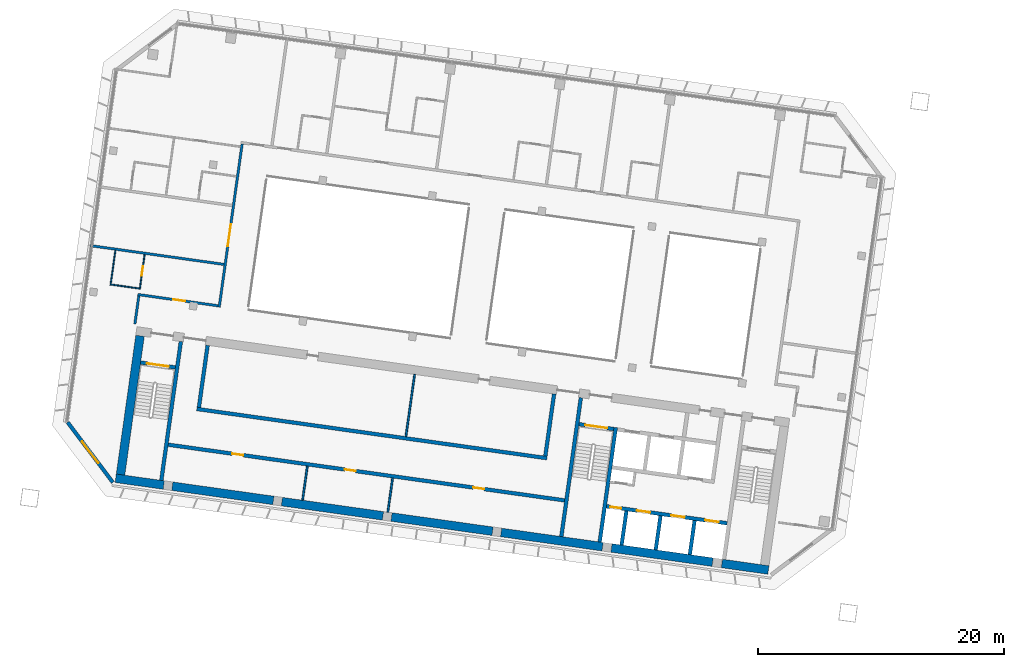
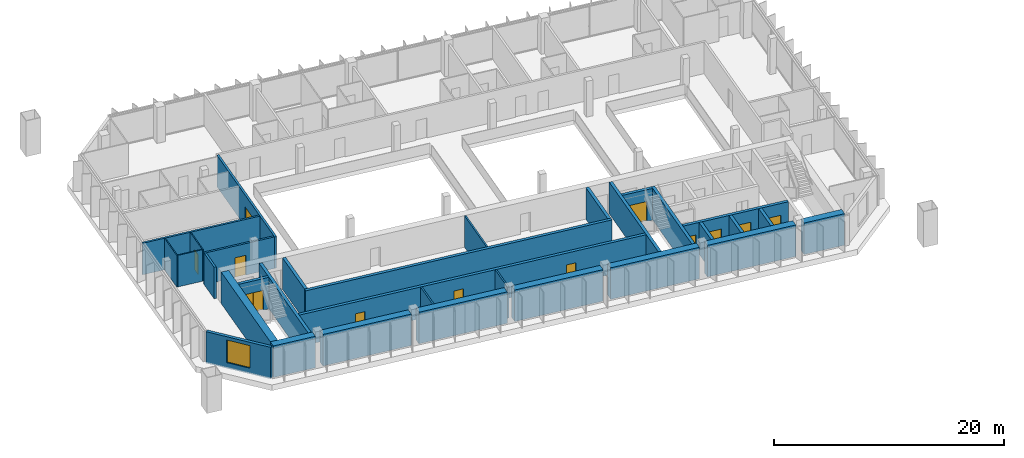
# One storey, part 15 of 26: 32 walls, 12 doors, 1 window, 13 openings.
"""IFC4 building model written with IfcOpenShell, lengths in metres."""

from ifc_helpers import new_model, si_unit, direction, frame, frame_2d, origin, place, context, subcontext, project, spatial, rectangle, extrude, material, layer, layer_set, type_object, element, fill, save


model = new_model("IFC4")

# Units and contexts
model_context = context("Model", 3, precision=1e-05, world=origin(), true_north=direction((0.0, 1.0)))
body_context = subcontext(model_context, "Body", "Model", "MODEL_VIEW")
ifc_project = project(units=[si_unit("LENGTHUNIT", "METRE"), si_unit("AREAUNIT", "SQUARE_METRE"), si_unit("VOLUMEUNIT", "CUBIC_METRE"), si_unit("PLANEANGLEUNIT", "RADIAN"), si_unit("MASSUNIT", "GRAM", prefix="KILO")], contexts=[model_context])

# Site, building, storey
site_placement = place(None, origin())
site = spatial("IfcSite", under=ifc_project, at=site_placement, CompositionType="ELEMENT")
building_placement = place(site_placement, origin())
building = spatial("IfcBuilding", under=site, at=building_placement, Name="Mirante Cascada Hotel Towers", CompositionType="ELEMENT")
storey_placement = place(building_placement, frame((0.0, 0.0, 161.2)))
storey = spatial("IfcBuildingStorey", under=building, at=storey_placement, Name="L37", CompositionType="ELEMENT", Elevation=161.2)

# Wall, opening, door
ifc_material_1 = material(Name="Fire-rated plasterboard on metal studs")
ifc_layer_1 = layer(ifc_material_1, 0.2)
ifc_layer_set_1 = layer_set([ifc_layer_1], Name="Compartment wall 200 EI 120")
wall_type_1 = type_object("IfcWallType", Name="Compartment wall 200 EI 120", PredefinedType="PARTITIONING", material=ifc_layer_set_1)
wall_1_placement = place(storey_placement, frame((-81.9671, 1.8701, 0.0), z_axis=(0.0, 0.0, 1.0), x_axis=(-0.990269, 0.1391661, 0.0)))
wall_1 = element("IfcWall", 1, at=wall_1_placement, inside=storey, type_object=wall_type_1, Name="Wall 1-L37-04", PredefinedType="PARTITIONING", context=body_context, shape_type="SweptSolid", body=[
    extrude(rectangle(XDim=6.6, YDim=0.2, at=frame_2d((3.3, 0.0))), origin(), (0.0, 0.0, 1.0), 3.35),
])
opening_1_placement = place(wall_1_placement, frame((2.7, 0.0, 0.0)))
opening_1 = element("IfcOpeningElement", 2, at=opening_1_placement, cuts=wall_1, Name="Opening D1-L37-03", PredefinedType="OPENING", context=body_context, shape_type="SweptSolid", body=[
    extrude(rectangle(XDim=1.0, YDim=2.1, at=frame_2d((0.5, 1.05))), frame((0.0, 0.1, 0.0), z_axis=(0.0, -1.0, 0.0), x_axis=(1.0, 0.0, 0.0)), (0.0, 0.0, 1.0), 0.2),
])
ifc_material_2 = material(Name="Fire-rated timber door leaf", Category="wood")
door_type_1 = type_object("IfcDoorType", Name="Entrance door DG1 1000x2100 EI 60", OperationType="SINGLE_SWING_LEFT", PredefinedType="DOOR", material=ifc_material_2)
door_1_placement = place(opening_1_placement, origin())
door_1 = element("IfcDoor", 3, at=door_1_placement, inside=storey, type_object=door_type_1, Name="Door D1-L37-03", OperationType="SINGLE_SWING_LEFT", OverallHeight=2.1, OverallWidth=1.0, PredefinedType="DOOR", context=body_context, shape_type="SweptSolid", body=[
    extrude(rectangle(XDim=1.0, YDim=2.1, at=frame_2d((0.5, 1.05))), frame((0.0, 0.025, 0.0), z_axis=(0.0, -1.0, 0.0), x_axis=(1.0, 0.0, 0.0)), (0.0, 0.0, 1.0), 0.05),
])
fill(opening_1, door_1)

# Wall
wall_2_placement = place(storey_placement, frame((-81.4939, 5.237, 0.0), z_axis=(0.0, 0.0, 1.0), x_axis=(-0.9902682, 0.1391721, 0.0)))
element("IfcWall", 4, at=wall_2_placement, inside=storey, type_object=wall_type_1, Name="Wall 1-L37-08", PredefinedType="PARTITIONING", context=body_context, shape_type="SweptSolid", body=[
    extrude(rectangle(XDim=11.0001, YDim=0.2, at=frame_2d((5.5, 0.0))), origin(), (0.0, 0.0, 1.0), 3.35),
])

# Wall, opening, door
wall_3_placement = place(storey_placement, frame((-80.0171, 15.0267, 0.0), z_axis=(0.0, 0.0, 1.0), x_axis=(-0.1391716, -0.9902683, 0.0)))
wall_3 = element("IfcWall", 5, at=wall_3_placement, inside=storey, type_object=wall_type_1, Name="Wall 1-L37-45", PredefinedType="PARTITIONING", context=body_context, shape_type="SweptSolid", body=[
    extrude(rectangle(XDim=13.4, YDim=0.2, at=frame_2d((6.7, 0.0))), origin(), (0.0, 0.0, 1.0), 3.35),
])
opening_2_placement = place(wall_3_placement, frame((6.5834, 0.0, 0.0)))
opening_2 = element("IfcOpeningElement", 6, at=opening_2_placement, cuts=wall_3, Name="Opening D1-L37-26", PredefinedType="OPENING", context=body_context, shape_type="SweptSolid", body=[
    extrude(rectangle(XDim=1.8, YDim=2.1, at=frame_2d((0.9, 1.05))), frame((0.0, 0.1, 0.0), z_axis=(0.0, -1.0, 0.0), x_axis=(1.0, 0.0, 0.0)), (0.0, 0.0, 1.0), 0.2),
])
ifc_material_3 = material(Name="Fire-rated timber door leaf", Category="wood")
door_type_2 = type_object("IfcDoorType", Name="Suite double door DG2 1800x2100 EI 60", OperationType="DOUBLE_DOOR_SINGLE_SWING", PredefinedType="DOOR", material=ifc_material_3)
door_2_placement = place(opening_2_placement, origin())
door_2 = element("IfcDoor", 7, at=door_2_placement, inside=storey, type_object=door_type_2, Name="Door D1-L37-26", OperationType="DOUBLE_DOOR_SINGLE_SWING", OverallHeight=2.1, OverallWidth=1.8, PredefinedType="DOOR", context=body_context, shape_type="SweptSolid", body=[
    extrude(rectangle(XDim=0.895, YDim=2.1, at=frame_2d((0.4475, 1.05))), frame((0.0, 0.025, 0.0), z_axis=(0.0, -1.0, 0.0), x_axis=(1.0, 0.0, 0.0)), (0.0, 0.0, 1.0), 0.05),
    extrude(rectangle(XDim=0.895, YDim=2.1, at=frame_2d((1.3525, 1.05))), frame((0.0, 0.025, 0.0), z_axis=(0.0, -1.0, 0.0), x_axis=(1.0, 0.0, 0.0)), (0.0, 0.0, 1.0), 0.05),
])
fill(opening_2, door_2)

# Walls
wall_4_placement = place(storey_placement, frame((-88.7379, 0.3981, 0.0), z_axis=(0.0, 0.0, 1.0), x_axis=(0.1391749, 0.9902678, 0.0)))
element("IfcWall", 8, at=wall_4_placement, inside=storey, type_object=wall_type_1, Name="Wall 1-L37-48", PredefinedType="PARTITIONING", context=body_context, shape_type="SweptSolid", body=[
    extrude(rectangle(XDim=2.3, YDim=0.2, at=frame_2d((1.15, 0.0))), origin(), (0.0, 0.0, 1.0), 3.35),
])
ifc_material_4 = material(Name="Masonry block", Category="masonry")
ifc_layer_2 = layer(ifc_material_4, 0.15)
ifc_layer_set_2 = layer_set([ifc_layer_2], Name="Core room partition 150 block EI 30")
wall_type_2 = type_object("IfcWallType", Name="Core room partition 150 block EI 30", PredefinedType="PARTITIONING", material=ifc_layer_set_2)
for number, where, z_axis, x_axis, name in (
    (9, (-68.1687, -14.9136, 0.0), (0.0, 0.0, 1.0), (0.139181, 0.990267, 0.0), "Core wall partition T1 L37 5"),
    (10, (-75.1006, -13.9394, 0.0), (0.0, 0.0, 1.0), (0.139181, 0.990267, 0.0), "Core wall partition T1 L37 6"),
):
    element("IfcWall", number, at=place(storey_placement, frame(where, z_axis=z_axis, x_axis=x_axis)), inside=storey, type_object=wall_type_2, Name=name, PredefinedType="PARTITIONING", context=body_context, shape_type="SweptSolid", body=[
        extrude(rectangle(XDim=2.8, YDim=0.15, at=frame_2d((1.4, 0.0))), origin(), (0.0, 0.0, 1.0), 3.35),
    ])
wall_5_placement = place(storey_placement, frame((-66.6977, -8.7584, 0.0), z_axis=(0.0, 0.0, 1.0), x_axis=(0.1391782, 0.9902673, 0.0)))
element("IfcWall", 11, at=wall_5_placement, inside=storey, type_object=wall_type_2, Name="Core wall partition T1 L37 7", PredefinedType="PARTITIONING", context=body_context, shape_type="SweptSolid", body=[
    extrude(rectangle(XDim=5.0999, YDim=0.15, at=frame_2d((2.55, 0.0))), origin(), (0.0, 0.0, 1.0), 3.35),
])

# Wall, openings, doors
ifc_material_5 = material(Name="Masonry block", Category="masonry")
ifc_layer_3 = layer(ifc_material_5, 0.3)
ifc_layer_set_3 = layer_set([ifc_layer_3], Name="Core wall 300 block EI 120")
wall_type_3 = type_object("IfcWallType", Name="Core wall 300 block EI 120", PredefinedType="PARTITIONING", material=ifc_layer_set_3)
wall_6_placement = place(storey_placement, frame((-53.7953, -13.9547, 0.0), z_axis=(0.0, 0.0, 1.0), x_axis=(-0.990268, 0.1391733, 0.0)))
wall_6 = element("IfcWall", 12, at=wall_6_placement, inside=storey, type_object=wall_type_3, Name="Core wall partition T1 L37 4", PredefinedType="PARTITIONING", context=body_context, shape_type="SweptSolid", body=[
    extrude(rectangle(XDim=32.5501, YDim=0.3, at=frame_2d((16.275, 0.0))), origin(), (0.0, 0.0, 1.0), 3.35),
])
opening_3_placement = place(wall_6_placement, frame((6.6, 0.0, 0.0)))
opening_3 = element("IfcOpeningElement", 13, at=opening_3_placement, cuts=wall_6, Name="Opening D1-37-C19", PredefinedType="OPENING", context=body_context, shape_type="SweptSolid", body=[
    extrude(rectangle(XDim=0.9, YDim=2.1, at=frame_2d((0.45, 1.05))), frame((0.0, 0.15, 0.0), z_axis=(0.0, -1.0, 0.0), x_axis=(1.0, 0.0, 0.0)), (0.0, 0.0, 1.0), 0.3),
])
opening_4_placement = place(wall_6_placement, frame((17.15, 0.0, 0.0)))
opening_4 = element("IfcOpeningElement", 14, at=opening_4_placement, cuts=wall_6, Name="Opening D1-37-C20", PredefinedType="OPENING", context=body_context, shape_type="SweptSolid", body=[
    extrude(rectangle(XDim=0.9, YDim=2.1, at=frame_2d((0.45, 1.05))), frame((0.0, 0.15, 0.0), z_axis=(0.0, -1.0, 0.0), x_axis=(1.0, 0.0, 0.0)), (0.0, 0.0, 1.0), 0.3),
])
opening_5_placement = place(wall_6_placement, frame((26.375, 0.0, 0.0)))
opening_5 = element("IfcOpeningElement", 15, at=opening_5_placement, cuts=wall_6, Name="Opening D1-37-C21", PredefinedType="OPENING", context=body_context, shape_type="SweptSolid", body=[
    extrude(rectangle(XDim=0.9, YDim=2.1, at=frame_2d((0.45, 1.05))), frame((0.0, 0.15, 0.0), z_axis=(0.0, -1.0, 0.0), x_axis=(1.0, 0.0, 0.0)), (0.0, 0.0, 1.0), 0.3),
])
ifc_material_6 = material(Name="Hollow metal fire door leaf")
door_type_3 = type_object("IfcDoorType", Name="Fire door 900x2100 FD60", OperationType="NOTDEFINED", PredefinedType="DOOR", material=ifc_material_6)
door_3_placement = place(opening_3_placement, origin())
door_3 = element("IfcDoor", 16, at=door_3_placement, inside=storey, type_object=door_type_3, Name="Room door T1 L37 19", OperationType="SINGLE_SWING_RIGHT", OverallHeight=2.1, OverallWidth=0.9, PredefinedType="DOOR", context=body_context, shape_type="SweptSolid", body=[
    extrude(rectangle(XDim=0.9, YDim=2.1, at=frame_2d((0.45, 1.05))), frame((0.0, 0.025, 0.0), z_axis=(0.0, -1.0, 0.0), x_axis=(1.0, 0.0, 0.0)), (0.0, 0.0, 1.0), 0.05),
])
fill(opening_3, door_3)
door_4_placement = place(opening_4_placement, origin())
door_4 = element("IfcDoor", 17, at=door_4_placement, inside=storey, type_object=door_type_3, Name="Room door T1 L37 20", OperationType="SINGLE_SWING_LEFT", OverallHeight=2.1, OverallWidth=0.9, PredefinedType="DOOR", context=body_context, shape_type="SweptSolid", body=[
    extrude(rectangle(XDim=0.9, YDim=2.1, at=frame_2d((0.45, 1.05))), frame((0.0, 0.025, 0.0), z_axis=(0.0, -1.0, 0.0), x_axis=(1.0, 0.0, 0.0)), (0.0, 0.0, 1.0), 0.05),
])
fill(opening_4, door_4)
door_5_placement = place(opening_5_placement, origin())
door_5 = element("IfcDoor", 18, at=door_5_placement, inside=storey, type_object=door_type_3, Name="Room door T1 L37 21", OperationType="SINGLE_SWING_LEFT", OverallHeight=2.1, OverallWidth=0.9, PredefinedType="DOOR", context=body_context, shape_type="SweptSolid", body=[
    extrude(rectangle(XDim=0.9, YDim=2.1, at=frame_2d((0.45, 1.05))), frame((0.0, 0.025, 0.0), z_axis=(0.0, -1.0, 0.0), x_axis=(1.0, 0.0, 0.0)), (0.0, 0.0, 1.0), 0.05),
])
fill(opening_5, door_5)

# Wall
ifc_material_7 = material(Name="Plasterboard on metal studs")
ifc_layer_4 = layer(ifc_material_7, 0.1)
ifc_layer_set_4 = layer_set([ifc_layer_4], Name="Partition 100")
wall_type_4 = type_object("IfcWallType", Name="Partition 100", PredefinedType="PARTITIONING", material=ifc_layer_set_4)
wall_7_placement = place(storey_placement, frame((-90.6614, 3.5969, 0.0), z_axis=(0.0, 0.0, 1.0), x_axis=(0.9902678, -0.1391749, 0.0)))
element("IfcWall", 19, at=wall_7_placement, inside=storey, type_object=wall_type_4, Name="Wall 1-L37-05", PredefinedType="PARTITIONING", context=body_context, shape_type="SweptSolid", body=[
    extrude(rectangle(XDim=2.3, YDim=0.1, at=frame_2d((1.15, 0.0))), origin(), (0.0, 0.0, 1.0), 3.35),
])

# Wall, opening, door
wall_8_placement = place(storey_placement, frame((-87.9446, 6.0426, 0.0), z_axis=(0.0, 0.0, 1.0), x_axis=(-0.1391564, -0.9902704, 0.0)))
wall_8 = element("IfcWall", 20, at=wall_8_placement, inside=storey, type_object=wall_type_4, Name="Wall 1-L37-49", PredefinedType="PARTITIONING", context=body_context, shape_type="SweptSolid", body=[
    extrude(rectangle(XDim=2.85, YDim=0.1, at=frame_2d((1.425, 0.0))), origin(), (0.0, 0.0, 1.0), 3.35),
])
opening_6_placement = place(wall_8_placement, frame((0.95, 0.0, 0.0)))
opening_6 = element("IfcOpeningElement", 21, at=opening_6_placement, cuts=wall_8, Name="Opening D1-L37-28", PredefinedType="OPENING", context=body_context, shape_type="SweptSolid", body=[
    extrude(rectangle(XDim=0.8, YDim=2.1, at=frame_2d((0.4, 1.05))), frame((0.0, 0.05, 0.0), z_axis=(0.0, -1.0, 0.0), x_axis=(1.0, 0.0, 0.0)), (0.0, 0.0, 1.0), 0.1),
])
ifc_material_8 = material(Name="Timber door leaf", Category="wood")
door_type_4 = type_object("IfcDoorType", Name="Bathroom door DG4 800x2100", OperationType="SINGLE_SWING_LEFT", PredefinedType="DOOR", material=ifc_material_8)
door_6_placement = place(opening_6_placement, frame((0.8, 0.0, 0.0), z_axis=(0.0, 0.0, 1.0), x_axis=(-1.0, 0.0, 0.0)))
door_6 = element("IfcDoor", 22, at=door_6_placement, inside=storey, type_object=door_type_4, Name="Door D1-L37-28", OperationType="SINGLE_SWING_RIGHT", OverallHeight=2.1, OverallWidth=0.8, PredefinedType="DOOR", context=body_context, shape_type="SweptSolid", body=[
    extrude(rectangle(XDim=0.8, YDim=2.1, at=frame_2d((0.4, 1.05))), frame((0.0, 0.025, 0.0), z_axis=(0.0, -1.0, 0.0), x_axis=(1.0, 0.0, 0.0)), (0.0, 0.0, 1.0), 0.05),
])
fill(opening_6, door_6)

# Wall
wall_9_placement = place(storey_placement, frame((-90.7179, 3.5544, 0.0), z_axis=(0.0, 0.0, 1.0), x_axis=(0.1391957, 0.9902649, 0.0)))
element("IfcWall", 23, at=wall_9_placement, inside=storey, type_object=wall_type_4, Name="Wall 1-L37-52", PredefinedType="PARTITIONING", context=body_context, shape_type="SweptSolid", body=[
    extrude(rectangle(XDim=2.8499, YDim=0.1, at=frame_2d((1.425, 0.0))), origin(), (0.0, 0.0, 1.0), 3.35),
])

# Wall, opening, window
ifc_material_9 = material(Name="Precast concrete C40/50", Category="concrete")
ifc_layer_5 = layer(ifc_material_9, 0.3)
ifc_layer_set_5 = layer_set([ifc_layer_5], Name="Precast concrete C40/50 cladding wall 300")
wall_type_5 = type_object("IfcWallType", Name="Precast concrete C40/50 cladding wall 300", PredefinedType="STANDARD", material=ifc_layer_set_5)
wall_10_placement = place(storey_placement, frame((-90.5299, -12.4841, 0.0), z_axis=(0.0, 0.0, 1.0), x_axis=(-0.6018063, 0.7986421, 0.0)))
wall_10 = element("IfcWall", 24, at=wall_10_placement, inside=storey, type_object=wall_type_5, Name="Corner cladding wall T1 L37 rear outer", PredefinedType="STANDARD", context=body_context, shape_type="SweptSolid", body=[
    extrude(rectangle(XDim=6.1158, YDim=0.3, at=frame_2d((3.0579, 0.0))), origin(), (0.0, 0.0, 1.0), 3.35),
])
opening_7_placement = place(wall_10_placement, frame((1.9578, 0.0, 0.6)))
opening_7 = element("IfcOpeningElement", 25, at=opening_7_placement, cuts=wall_10, Name="Opening W1-37-01", PredefinedType="OPENING", context=body_context, shape_type="SweptSolid", body=[
    extrude(rectangle(XDim=2.2, YDim=2.4, at=frame_2d((1.1, 1.2))), frame((0.0, 0.15, 0.0), z_axis=(0.0, -1.0, 0.0), x_axis=(1.0, 0.0, 0.0)), (0.0, 0.0, 1.0), 0.3),
])
ifc_material_10 = material(Name="Aluminium frame with clear double glazing", Category="aluminium")
window_type = type_object("IfcWindowType", Name="Corner suite window 2200x2400", PartitioningType="DOUBLE_PANEL_VERTICAL", PredefinedType="WINDOW", material=ifc_material_10)
window_placement = place(opening_7_placement, origin())
window = element("IfcWindow", 26, at=window_placement, inside=storey, type_object=window_type, Name="Window W1-37-01", OverallHeight=2.4, OverallWidth=2.2, PartitioningType="SINGLE_PANEL", PredefinedType="WINDOW", context=body_context, shape_type="SweptSolid", body=[
    extrude(rectangle(XDim=2.2, YDim=2.4, at=frame_2d((1.1, 1.2))), frame((0.0, 0.03, 0.0), z_axis=(0.0, -1.0, 0.0), x_axis=(1.0, 0.0, 0.0)), (0.0, 0.0, 1.0), 0.06),
])
fill(opening_7, window)

# Walls
ifc_material_11 = material(Name="Concrete C50/60", Category="concrete")
ifc_layer_6 = layer(ifc_material_11, 0.3)
ifc_layer_set_6 = layer_set([ifc_layer_6], Name="RC core wall 300 C50/60")
wall_type_6 = type_object("IfcWallType", Name="RC core wall 300 C50/60", PredefinedType="SHEAR", material=ifc_layer_set_6)
wall_11_placement = place(storey_placement, frame((-50.938, -17.3352, 0.0), z_axis=(0.0, 0.0, 1.0), x_axis=(0.1391706, 0.9902684, 0.0)))
element("IfcWall", 27, at=wall_11_placement, inside=storey, type_object=wall_type_6, Name="Core wall T1:L37:6", PredefinedType="SHEAR", context=body_context, shape_type="SweptSolid", body=[
    extrude(rectangle(XDim=9.4, YDim=0.3, at=frame_2d((4.7, 0.0))), origin(), (0.0, 0.0, 1.0), 3.35),
])
wall_12_placement = place(storey_placement, frame((-54.0574, -16.8968, 0.0), z_axis=(0.0, 0.0, 1.0), x_axis=(0.1391761, 0.9902677, 0.0)))
element("IfcWall", 28, at=wall_12_placement, inside=storey, type_object=wall_type_6, Name="Core wall T1:L37:7", PredefinedType="SHEAR", context=body_context, shape_type="SweptSolid", body=[
    extrude(rectangle(XDim=11.3999, YDim=0.3, at=frame_2d((5.7, 0.0))), origin(), (0.0, 0.0, 1.0), 3.35),
])
wall_13_placement = place(storey_placement, frame((-86.5877, -12.325, 0.0), z_axis=(0.0, 0.0, 1.0), x_axis=(0.1391749, 0.9902678, 0.0)))
element("IfcWall", 29, at=wall_13_placement, inside=storey, type_object=wall_type_6, Name="Core wall T1:L37:8", PredefinedType="SHEAR", context=body_context, shape_type="SweptSolid", body=[
    extrude(rectangle(XDim=11.4, YDim=0.3, at=frame_2d((5.7, 0.0))), origin(), (0.0, 0.0, 1.0), 3.35),
])

# Wall, opening, door
wall_14_placement = place(storey_placement, frame((-49.7992, -8.1544, 0.0), z_axis=(0.0, 0.0, 1.0), x_axis=(-0.9902656, 0.1391909, 0.0)))
wall_14 = element("IfcWall", 30, at=wall_14_placement, inside=storey, type_object=wall_type_6, Name="Core wall T1:L37:10", PredefinedType="SHEAR", context=body_context, shape_type="SweptSolid", body=[
    extrude(rectangle(XDim=2.85, YDim=0.3, at=frame_2d((1.425, 0.0))), origin(), (0.0, 0.0, 1.0), 3.35),
])
opening_8_placement = place(wall_14_placement, frame((0.525, 0.0, 0.0)))
opening_8 = element("IfcOpeningElement", 31, at=opening_8_placement, cuts=wall_14, Name="Opening D1-37-C09", PredefinedType="OPENING", context=body_context, shape_type="SweptSolid", body=[
    extrude(rectangle(XDim=1.8, YDim=2.1, at=frame_2d((0.9, 1.05))), frame((0.0, 0.15, 0.0), z_axis=(0.0, -1.0, 0.0), x_axis=(1.0, 0.0, 0.0)), (0.0, 0.0, 1.0), 0.3),
])
ifc_material_12 = material(Name="Hollow metal fire door leaf")
door_type_5 = type_object("IfcDoorType", Name="Double fire door 1800x2100 FD60", OperationType="DOUBLE_DOOR_SINGLE_SWING", PredefinedType="DOOR", material=ifc_material_12)
door_7_placement = place(opening_8_placement, origin())
door_7 = element("IfcDoor", 32, at=door_7_placement, inside=storey, type_object=door_type_5, Name="Stair door T1 L37 9", OperationType="DOUBLE_DOOR_SINGLE_SWING", OverallHeight=2.1, OverallWidth=1.8, PredefinedType="DOOR", context=body_context, shape_type="SweptSolid", body=[
    extrude(rectangle(XDim=0.895, YDim=2.1, at=frame_2d((0.4475, 1.05))), frame((0.0, 0.025, 0.0), z_axis=(0.0, -1.0, 0.0), x_axis=(1.0, 0.0, 0.0)), (0.0, 0.0, 1.0), 0.05),
    extrude(rectangle(XDim=0.895, YDim=2.1, at=frame_2d((1.3525, 1.05))), frame((0.0, 0.025, 0.0), z_axis=(0.0, -1.0, 0.0), x_axis=(1.0, 0.0, 0.0)), (0.0, 0.0, 1.0), 0.05),
])
fill(opening_8, door_7)

wall_15_placement = place(storey_placement, frame((-85.4489, -3.1441, 0.0), z_axis=(0.0, 0.0, 1.0), x_axis=(-0.9902697, 0.1391613, 0.0)))
wall_15 = element("IfcWall", 33, at=wall_15_placement, inside=storey, type_object=wall_type_6, Name="Core wall T1:L37:11", PredefinedType="SHEAR", context=body_context, shape_type="SweptSolid", body=[
    extrude(rectangle(XDim=2.8499, YDim=0.3, at=frame_2d((1.425, 0.0))), origin(), (0.0, 0.0, 1.0), 3.35),
])
opening_9_placement = place(wall_15_placement, frame((0.525, 0.0, 0.0)))
opening_9 = element("IfcOpeningElement", 34, at=opening_9_placement, cuts=wall_15, Name="Opening D1-37-C11", PredefinedType="OPENING", context=body_context, shape_type="SweptSolid", body=[
    extrude(rectangle(XDim=1.8, YDim=2.1, at=frame_2d((0.9, 1.05))), frame((0.0, 0.15, 0.0), z_axis=(0.0, -1.0, 0.0), x_axis=(1.0, 0.0, 0.0)), (0.0, 0.0, 1.0), 0.3),
])
door_8_placement = place(opening_9_placement, origin())
door_8 = element("IfcDoor", 35, at=door_8_placement, inside=storey, type_object=door_type_5, Name="Stair door T1 L37 11", OperationType="DOUBLE_DOOR_SINGLE_SWING", OverallHeight=2.1, OverallWidth=1.8, PredefinedType="DOOR", context=body_context, shape_type="SweptSolid", body=[
    extrude(rectangle(XDim=0.895, YDim=2.1, at=frame_2d((0.4475, 1.05))), frame((0.0, 0.025, 0.0), z_axis=(0.0, -1.0, 0.0), x_axis=(1.0, 0.0, 0.0)), (0.0, 0.0, 1.0), 0.05),
    extrude(rectangle(XDim=0.895, YDim=2.1, at=frame_2d((1.3525, 1.05))), frame((0.0, 0.025, 0.0), z_axis=(0.0, -1.0, 0.0), x_axis=(1.0, 0.0, 0.0)), (0.0, 0.0, 1.0), 0.05),
])
fill(opening_9, door_8)

# Wall, openings, doors
wall_16_placement = place(storey_placement, frame((-40.5753, -15.8126, 0.0), z_axis=(0.0, 0.0, 1.0), x_axis=(-0.9902682, 0.1391725, 0.0)))
wall_16 = element("IfcWall", 36, at=wall_16_placement, inside=storey, type_object=wall_type_6, Name="Core wall T1:L37:12", PredefinedType="SHEAR", context=body_context, shape_type="SweptSolid", body=[
    extrude(rectangle(XDim=9.8999, YDim=0.3, at=frame_2d((4.95, 0.0))), origin(), (0.0, 0.0, 1.0), 3.35),
])
opening_10_placement = place(wall_16_placement, frame((0.7, 0.0, 0.0)))
opening_10 = element("IfcOpeningElement", 37, at=opening_10_placement, cuts=wall_16, Name="Opening LD", PredefinedType="OPENING", context=body_context, shape_type="SweptSolid", body=[
    extrude(rectangle(XDim=1.1, YDim=2.1, at=frame_2d((0.55, 1.05))), frame((0.0, 0.15, 0.0), z_axis=(0.0, -1.0, 0.0), x_axis=(1.0, 0.0, 0.0)), (0.0, 0.0, 1.0), 0.3),
])
opening_11_placement = place(wall_16_placement, frame((3.5, 0.0, 0.0)))
opening_11 = element("IfcOpeningElement", 38, at=opening_11_placement, cuts=wall_16, Name="Opening LD", PredefinedType="OPENING", context=body_context, shape_type="SweptSolid", body=[
    extrude(rectangle(XDim=1.1, YDim=2.1, at=frame_2d((0.55, 1.05))), frame((0.0, 0.15, 0.0), z_axis=(0.0, -1.0, 0.0), x_axis=(1.0, 0.0, 0.0)), (0.0, 0.0, 1.0), 0.3),
])
opening_12_placement = place(wall_16_placement, frame((6.3, 0.0, 0.0)))
opening_12 = element("IfcOpeningElement", 39, at=opening_12_placement, cuts=wall_16, Name="Opening LD", PredefinedType="OPENING", context=body_context, shape_type="SweptSolid", body=[
    extrude(rectangle(XDim=1.1, YDim=2.1, at=frame_2d((0.55, 1.05))), frame((0.0, 0.15, 0.0), z_axis=(0.0, -1.0, 0.0), x_axis=(1.0, 0.0, 0.0)), (0.0, 0.0, 1.0), 0.3),
])
opening_13_placement = place(wall_16_placement, frame((8.7, 0.0, 0.0)))
opening_13 = element("IfcOpeningElement", 40, at=opening_13_placement, cuts=wall_16, Name="Opening D1-37-C16", PredefinedType="OPENING", context=body_context, shape_type="SweptSolid", body=[
    extrude(rectangle(XDim=0.9, YDim=2.1, at=frame_2d((0.45, 1.05))), frame((0.0, 0.15, 0.0), z_axis=(0.0, -1.0, 0.0), x_axis=(1.0, 0.0, 0.0)), (0.0, 0.0, 1.0), 0.3),
])
door_9_placement = place(opening_13_placement, origin())
door_9 = element("IfcDoor", 41, at=door_9_placement, inside=storey, type_object=door_type_3, Name="Riser door T1 L37 16", OperationType="SINGLE_SWING_LEFT", OverallHeight=2.1, OverallWidth=0.9, PredefinedType="DOOR", context=body_context, shape_type="SweptSolid", body=[
    extrude(rectangle(XDim=0.9, YDim=2.1, at=frame_2d((0.45, 1.05))), frame((0.0, 0.025, 0.0), z_axis=(0.0, -1.0, 0.0), x_axis=(1.0, 0.0, 0.0)), (0.0, 0.0, 1.0), 0.05),
])
fill(opening_13, door_9)
ifc_material_13 = material(Name="Stainless steel", Category="steel")
door_type_6 = type_object("IfcDoorType", Name="Lift landing door 1100x2100 EI 120", OperationType="DOUBLE_DOOR_SLIDING", PredefinedType="DOOR", material=ifc_material_13)
door_10_placement = place(opening_10_placement, origin())
door_10 = element("IfcDoor", 42, at=door_10_placement, inside=storey, type_object=door_type_6, Name="Lift landing door HR1-1 L37", OperationType="DOUBLE_DOOR_SLIDING", OverallHeight=2.1, OverallWidth=1.1, PredefinedType="DOOR", context=body_context, shape_type="SweptSolid", body=[
    extrude(rectangle(XDim=0.545, YDim=2.1, at=frame_2d((0.2725, 1.05))), frame((0.0, 0.025, 0.0), z_axis=(0.0, -1.0, 0.0), x_axis=(1.0, 0.0, 0.0)), (0.0, 0.0, 1.0), 0.05),
    extrude(rectangle(XDim=0.545, YDim=2.1, at=frame_2d((0.8275, 1.05))), frame((0.0, 0.025, 0.0), z_axis=(0.0, -1.0, 0.0), x_axis=(1.0, 0.0, 0.0)), (0.0, 0.0, 1.0), 0.05),
])
fill(opening_10, door_10)
door_11_placement = place(opening_11_placement, origin())
door_11 = element("IfcDoor", 43, at=door_11_placement, inside=storey, type_object=door_type_6, Name="Lift landing door HR1-2 L37", OperationType="DOUBLE_DOOR_SLIDING", OverallHeight=2.1, OverallWidth=1.1, PredefinedType="DOOR", context=body_context, shape_type="SweptSolid", body=[
    extrude(rectangle(XDim=0.545, YDim=2.1, at=frame_2d((0.2725, 1.05))), frame((0.0, 0.025, 0.0), z_axis=(0.0, -1.0, 0.0), x_axis=(1.0, 0.0, 0.0)), (0.0, 0.0, 1.0), 0.05),
    extrude(rectangle(XDim=0.545, YDim=2.1, at=frame_2d((0.8275, 1.05))), frame((0.0, 0.025, 0.0), z_axis=(0.0, -1.0, 0.0), x_axis=(1.0, 0.0, 0.0)), (0.0, 0.0, 1.0), 0.05),
])
fill(opening_11, door_11)
door_12_placement = place(opening_12_placement, origin())
door_12 = element("IfcDoor", 44, at=door_12_placement, inside=storey, type_object=door_type_6, Name="Lift landing door HR1-3 L37", OperationType="DOUBLE_DOOR_SLIDING", OverallHeight=2.1, OverallWidth=1.1, PredefinedType="DOOR", context=body_context, shape_type="SweptSolid", body=[
    extrude(rectangle(XDim=0.545, YDim=2.1, at=frame_2d((0.2725, 1.05))), frame((0.0, 0.025, 0.0), z_axis=(0.0, -1.0, 0.0), x_axis=(1.0, 0.0, 0.0)), (0.0, 0.0, 1.0), 0.05),
    extrude(rectangle(XDim=0.545, YDim=2.1, at=frame_2d((0.8275, 1.05))), frame((0.0, 0.025, 0.0), z_axis=(0.0, -1.0, 0.0), x_axis=(1.0, 0.0, 0.0)), (0.0, 0.0, 1.0), 0.05),
])
fill(opening_12, door_12)

# Walls
wall_17_placement = place(storey_placement, frame((-43.61, -18.3651, 0.0), z_axis=(0.0, 0.0, 1.0), x_axis=(0.1391459, 0.9902719, 0.0)))
element("IfcWall", 45, at=wall_17_placement, inside=storey, type_object=wall_type_6, Name="Core wall T1:L37:15", PredefinedType="SHEAR", context=body_context, shape_type="SweptSolid", body=[
    extrude(rectangle(XDim=2.7999, YDim=0.3, at=frame_2d((1.4, 0.0))), origin(), (0.0, 0.0, 1.0), 3.35),
])
wall_18_placement = place(storey_placement, frame((-46.3828, -17.9754, 0.0), z_axis=(0.0, 0.0, 1.0), x_axis=(0.139181, 0.990267, 0.0)))
element("IfcWall", 46, at=wall_18_placement, inside=storey, type_object=wall_type_6, Name="Core wall T1:L37:16", PredefinedType="SHEAR", context=body_context, shape_type="SweptSolid", body=[
    extrude(rectangle(XDim=2.8, YDim=0.3, at=frame_2d((1.4, 0.0))), origin(), (0.0, 0.0, 1.0), 3.35),
])
wall_19_placement = place(storey_placement, frame((-49.1555, -17.5857, 0.0), z_axis=(0.0, 0.0, 1.0), x_axis=(0.1391459, 0.9902719, 0.0)))
element("IfcWall", 47, at=wall_19_placement, inside=storey, type_object=wall_type_6, Name="Core wall T1:L37:17", PredefinedType="SHEAR", context=body_context, shape_type="SweptSolid", body=[
    extrude(rectangle(XDim=2.7999, YDim=0.3, at=frame_2d((1.4, 0.0))), origin(), (0.0, 0.0, 1.0), 3.35),
])
wall_20_placement = place(storey_placement, frame((-55.2315, -10.5214, 0.0), z_axis=(0.0, 0.0, 1.0), x_axis=(-0.9902682, 0.1391722, 0.0)))
element("IfcWall", 48, at=wall_20_placement, inside=storey, type_object=wall_type_6, Name="Core wall T1:L37:27", PredefinedType="SHEAR", context=body_context, shape_type="SweptSolid", body=[
    extrude(rectangle(XDim=28.75, YDim=0.3, at=frame_2d((14.375, 0.0))), origin(), (0.0, 0.0, 1.0), 3.35),
])
for number, where, z_axis, x_axis, name in (
    (49, (-55.3592, -10.352, 0.0), (0.0, 0.0, 1.0), (0.1391755, 0.9902677, 0.0), "Core wall T1:L37:28"),
    (50, (-83.5323, -6.3925, 0.0), (0.0, 0.0, 1.0), (0.1391755, 0.9902677, 0.0), "Core wall T1:L37:29"),
):
    element("IfcWall", number, at=place(storey_placement, frame(where, z_axis=z_axis, x_axis=x_axis)), inside=storey, type_object=wall_type_6, Name=name, PredefinedType="SHEAR", context=body_context, shape_type="SweptSolid", body=[
        extrude(rectangle(XDim=5.1, YDim=0.3, at=frame_2d((2.55, 0.0))), origin(), (0.0, 0.0, 1.0), 3.35),
    ])
ifc_material_14 = material(Name="Concrete C50/60", Category="concrete")
ifc_layer_7 = layer(ifc_material_14, 0.7)
ifc_layer_set_7 = layer_set([ifc_layer_7], Name="RC core wall 700 C50/60")
wall_type_7 = type_object("IfcWallType", Name="RC core wall 700 C50/60", PredefinedType="SHEAR", material=ifc_layer_set_7)
wall_21_placement = place(storey_placement, frame((-37.222, -19.6163, 0.0), z_axis=(0.0, 0.0, 1.0), x_axis=(-0.9902688, 0.1391677, 0.0)))
element("IfcWall", 51, at=wall_21_placement, inside=storey, type_object=wall_type_7, Name="Core wall T1:L37:1.1", PredefinedType="SHEAR", context=body_context, shape_type="SweptSolid", body=[
    extrude(rectangle(XDim=3.8148, YDim=0.7, at=frame_2d((1.9074, 0.0))), origin(), (0.0, 0.0, 1.0), 3.35),
])
wall_22_placement = place(storey_placement, frame((-41.7593, -18.9787, 0.0), z_axis=(0.0, 0.0, 1.0), x_axis=(-0.9902665, 0.1391845, 0.0)))
element("IfcWall", 52, at=wall_22_placement, inside=storey, type_object=wall_type_7, Name="Core wall T1:L37:1.2", PredefinedType="SHEAR", context=body_context, shape_type="SweptSolid", body=[
    extrude(rectangle(XDim=8.3005, YDim=0.7, at=frame_2d((4.1502, 0.0))), origin(), (0.0, 0.0, 1.0), 3.35),
])
wall_23_placement = place(storey_placement, frame((-50.7054, -17.7214, 0.0), z_axis=(0.0, 0.0, 1.0), x_axis=(-0.9902678, 0.139175, 0.0)))
element("IfcWall", 53, at=wall_23_placement, inside=storey, type_object=wall_type_7, Name="Core wall T1:L37:1.3", PredefinedType="SHEAR", context=body_context, shape_type="SweptSolid", body=[
    extrude(rectangle(XDim=8.3341, YDim=0.7, at=frame_2d((4.167, 0.0))), origin(), (0.0, 0.0, 1.0), 3.35),
])
for number, where, z_axis, x_axis, name in (
    (54, (-59.6516, -16.4641, 0.0), (0.0, 0.0, 1.0), (-0.990267, 0.139181, 0.0), "Core wall T1:L37:1.4"),
    (55, (-68.564, -15.2115, 0.0), (0.0, 0.0, 1.0), (-0.9902686, 0.1391692, 0.0), "Core wall T1:L37:1.5"),
    (56, (-77.4764, -13.9589, 0.0), (0.0, 0.0, 1.0), (-0.9902686, 0.1391692, 0.0), "Core wall T1:L37:1.6"),
):
    element("IfcWall", number, at=place(storey_placement, frame(where, z_axis=z_axis, x_axis=x_axis)), inside=storey, type_object=wall_type_7, Name=name, PredefinedType="SHEAR", context=body_context, shape_type="SweptSolid", body=[
        extrude(rectangle(XDim=8.3, YDim=0.7, at=frame_2d((4.15, 0.0))), origin(), (0.0, 0.0, 1.0), 3.35),
    ])
wall_24_placement = place(storey_placement, frame((-86.3888, -12.7064, 0.0), z_axis=(0.0, 0.0, 1.0), x_axis=(-0.9902694, 0.1391633, 0.0)))
element("IfcWall", 57, at=wall_24_placement, inside=storey, type_object=wall_type_7, Name="Core wall T1:L37:1.7", PredefinedType="SHEAR", context=body_context, shape_type="SweptSolid", body=[
    extrude(rectangle(XDim=3.95, YDim=0.7, at=frame_2d((1.975, 0.0))), origin(), (0.0, 0.0, 1.0), 3.35),
])
wall_25_placement = place(storey_placement, frame((-89.9051, -11.8588, 0.0), z_axis=(0.0, 0.0, 1.0), x_axis=(0.1391749, 0.9902678, 0.0)))
element("IfcWall", 58, at=wall_25_placement, inside=storey, type_object=wall_type_7, Name="Core wall T1:L37:4", PredefinedType="SHEAR", context=body_context, shape_type="SweptSolid", body=[
    extrude(rectangle(XDim=11.4, YDim=0.7, at=frame_2d((5.7, 0.0))), origin(), (0.0, 0.0, 1.0), 3.35),
])

save(model, "model.ifc")
